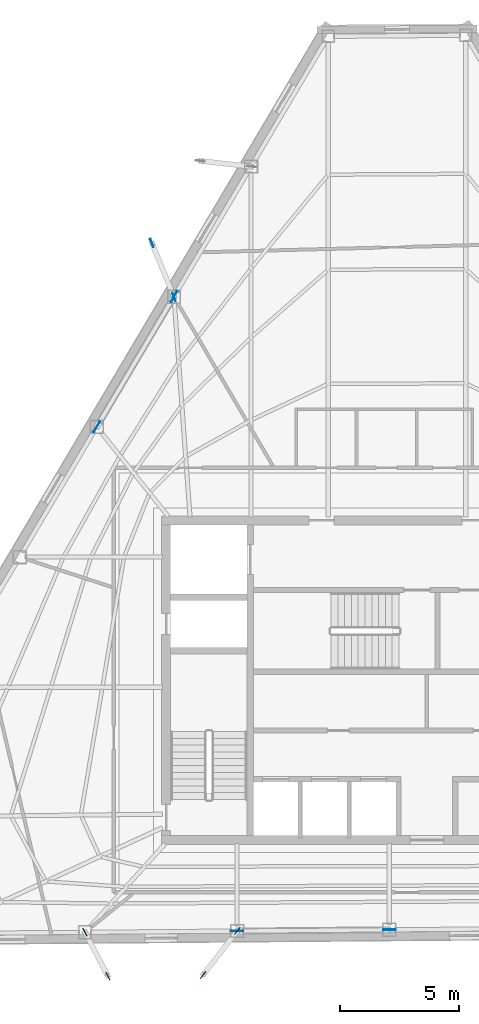
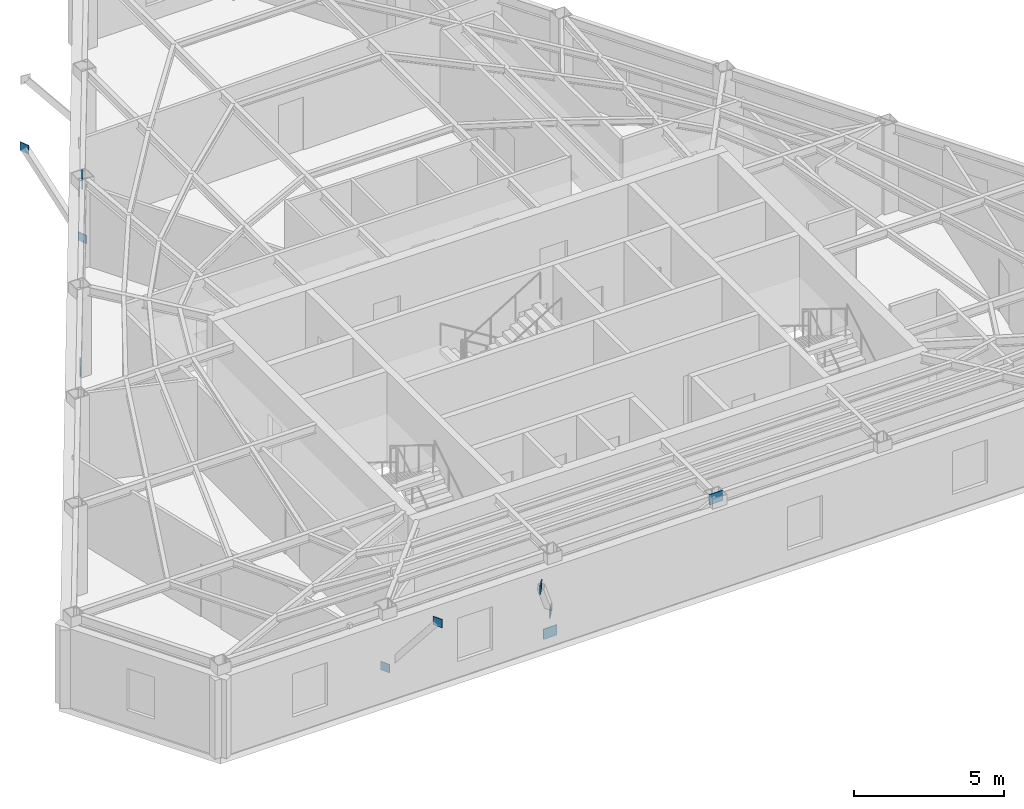
# One storey, part 4 of 10: 10 plates.
"""IFC4 building model written with IfcOpenShell, lengths in metres."""

from ifc_helpers import new_model, si_unit, direction, frame, origin, origin_2d, place, context, subcontext, project, spatial, rectangle, extrude, material, layer, layer_set, type_object, element, save


model = new_model("IFC4")

# Units and contexts
model_context = context("Model", 3, precision=1e-05, world=origin(), true_north=direction((0.0, 1.0)))
body_context = subcontext(model_context, "Body", "Model", "MODEL_VIEW")
ifc_project = project(units=[si_unit("LENGTHUNIT", "METRE"), si_unit("AREAUNIT", "SQUARE_METRE"), si_unit("VOLUMEUNIT", "CUBIC_METRE"), si_unit("PLANEANGLEUNIT", "RADIAN"), si_unit("MASSUNIT", "GRAM", prefix="KILO")], contexts=[model_context])

# Site, building, storey
site_placement = place(None, origin())
site = spatial("IfcSite", under=ifc_project, at=site_placement, CompositionType="ELEMENT")
building_placement = place(site_placement, origin())
building = spatial("IfcBuilding", under=site, at=building_placement, Name="Kavelnor Concourse Tower", CompositionType="ELEMENT")
storey_placement = place(building_placement, frame((0.0, 0.0, 281.85009765625)))
storey = spatial("IfcBuildingStorey", under=building, at=storey_placement, Name="L71", CompositionType="ELEMENT", Elevation=281.85009765625)

# Plates
ifc_material = material(Name="Steel Grade 350", Category="steel")
ifc_layer_1 = layer(ifc_material, 0.028076171875, Name="Steel Grade 350")
ifc_layer_set_1 = layer_set([ifc_layer_1], Name="Steel Grade 350")
plate_type_1 = type_object("IfcPlateType", Name="PL-GUSSET-FOLD", PredefinedType="USERDEFINED", material=ifc_layer_set_1)
for number, where, z_axis, x_axis, name in (
    (1, (28.6201171875, 32.141357421875, 0.8798828125), (0.0, 0.0, 1.0), (-0.379133177301, 0.925342117203, 0.0), "L71 Balcony Strut Gusset GP4 1-B End Gusset A"),
    (2, (27.69384765625, 34.402587890625, 3.48486328125), (0.0, 0.0, 1.0), (-0.379133177301, 0.925342117203, 0.0), "L71 Balcony Strut Gusset GP4 1-B End Gusset B"),
    (3, (24.888671875, 5.552490234375, 0.8798828125), (0.0, 0.0, 1.0), (0.462367751041, -0.886688255701, 0.0), "L71 Balcony Strut Gusset GP4 2-A End Gusset A"),
    (4, (25.8486328125, 3.71142578125, 3.48486328125), (0.0, 0.0, 1.0), (0.462367751041, -0.886688255701, 0.0), "L71 Balcony Strut Gusset GP4 2-A End Gusset B"),
    (5, (31.2705078125, 5.60400390625, 0.8798828125), (0.0, 0.0, 1.0), (-0.613458536509, -0.789726930011, 0.0), "L71 Balcony Strut Gusset GP4 2-B End Gusset A"),
    (6, (29.83544921875, 3.75634765625, 3.48486328125), (0.0, 0.0, 1.0), (-0.613458536509, -0.789726930011, 0.0), "L71 Balcony Strut Gusset GP4 2-B End Gusset B"),
):
    element("IfcPlate", number, at=place(storey_placement, frame(where, z_axis=z_axis, x_axis=x_axis)), inside=storey, type_object=plate_type_1, Name=name, ObjectType="GUSSET_PLATE", PredefinedType="USERDEFINED", context=body_context, shape_type="SweptSolid", body=[
        extrude(rectangle(XDim=0.360107421875, YDim=0.028076171875, at=origin_2d()), origin(), (0.0, 0.0, 1.0), 0.340087890625),
    ])
ifc_layer_2 = layer(ifc_material, 0.031982421875, Name="Steel Grade 350")
ifc_layer_set_2 = layer_set([ifc_layer_2], Name="Steel Grade 350")
plate_type_2 = type_object("IfcPlateType", Name="PL-GUSSET-TUBE-Z1", PredefinedType="USERDEFINED", material=ifc_layer_set_2)
for number, where, z_axis, x_axis, name in (
    (7, (25.380126953125, 26.692138671875, 0.010009765625), (0.0, 0.0, 1.0), (0.509792360946, 0.860297476877, 0.0), "L71 Tube Brace Gusset GP3 F0-B2 End Gusset A"),
    (8, (28.621826171875, 32.162841796875, 3.197021484375), (0.0, 0.0, 1.0), (0.509792360946, 0.860297476877, 0.0), "L71 Tube Brace Gusset GP3 F0-B2 End Gusset B"),
    (9, (31.251220703125, 5.594482421875, 0.010009765625), (0.0, 0.0, 1.0), (0.999966355195, 0.008202955488, 0.0), "L71 Tube Brace Gusset GP3 F1-B2 End Gusset A"),
    (10, (37.644287109375, 5.647216796875, 3.197021484375), (0.0, 0.0, 1.0), (0.999966355195, 0.008202955488, 0.0), "L71 Tube Brace Gusset GP3 F1-B2 End Gusset B"),
):
    element("IfcPlate", number, at=place(storey_placement, frame(where, z_axis=z_axis, x_axis=x_axis)), inside=storey, type_object=plate_type_2, Name=name, ObjectType="GUSSET_PLATE", PredefinedType="USERDEFINED", context=body_context, shape_type="SweptSolid", body=[
        extrude(rectangle(XDim=0.52001953125, YDim=0.031982421875, at=origin_2d()), origin(), (0.0, 0.0, 1.0), 0.419921875),
    ])

save(model, "model.ifc")
